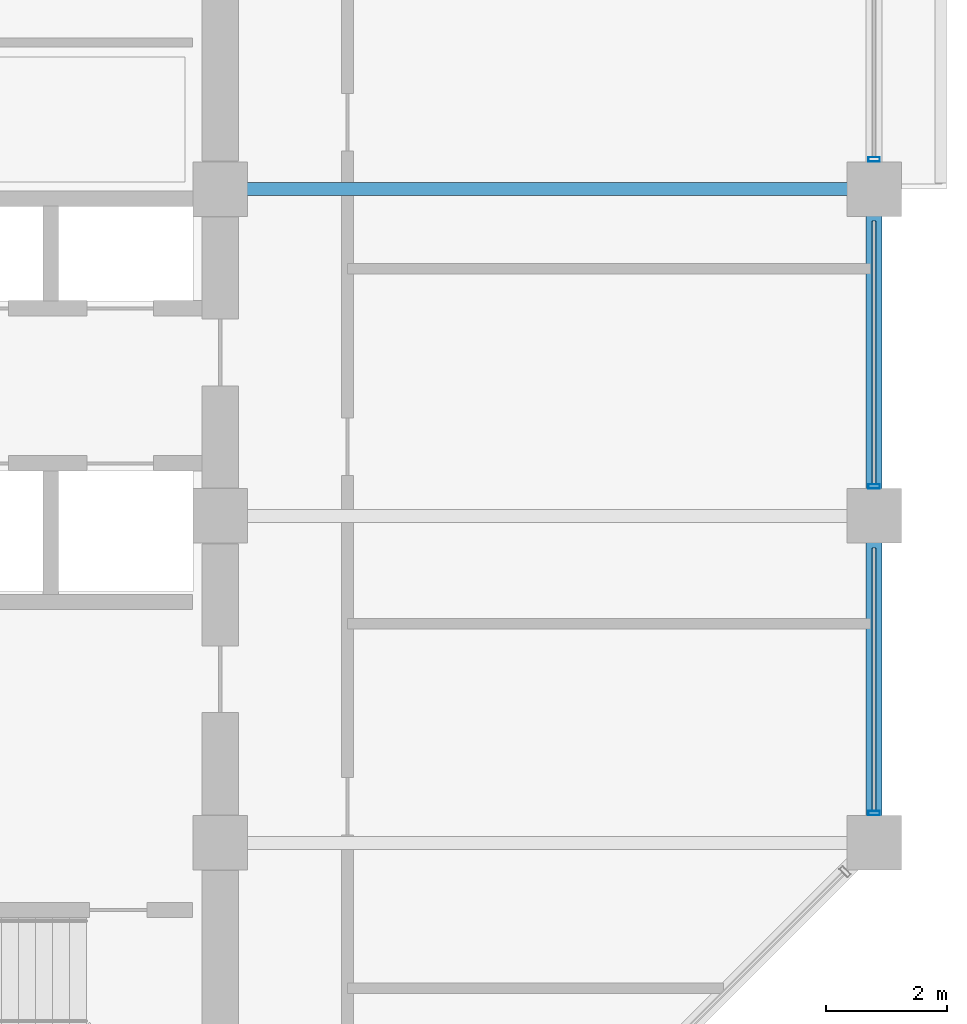
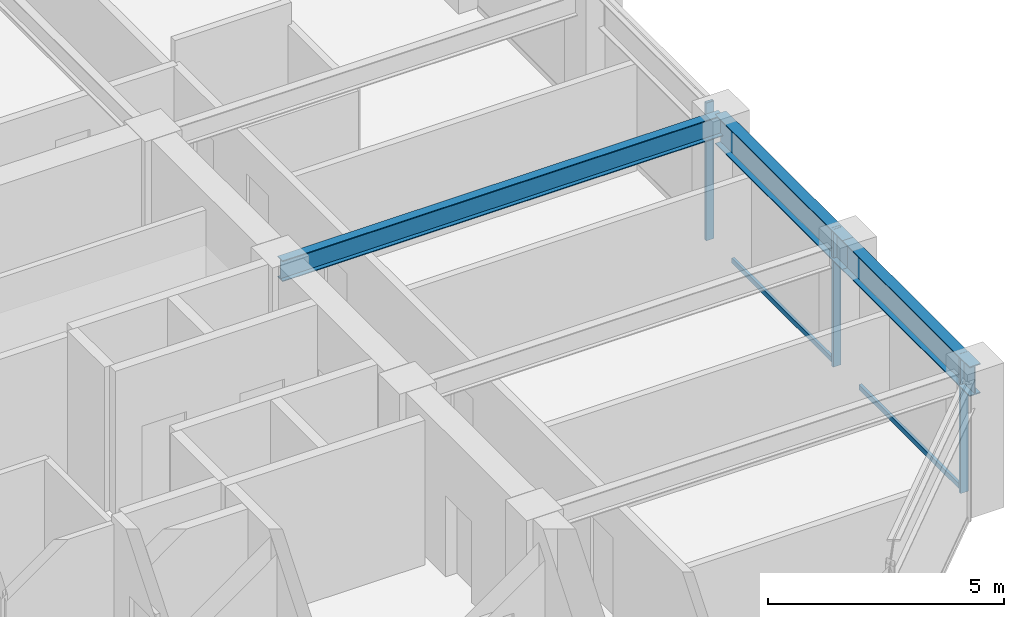
# One storey, part 14 of 31: 5 members, 3 beams, 1 element without a shape of its own.
"""IFC4 building model written with IfcOpenShell, lengths in metres."""

from ifc_helpers import new_model, si_unit, direction, frame, origin, origin_2d, place, context, subcontext, project, spatial, hollow_rectangle, i_section, extrude, material, layer, layer_set, material_profile, profile_set, type_object, element, aggregate, save


model = new_model("IFC4")

# Units and contexts
model_context = context("Model", 3, precision=1e-05, world=origin(), true_north=direction((0.0, 1.0)))
body_context = subcontext(model_context, "Body", "Model", "MODEL_VIEW")
ifc_project = project(units=[si_unit("LENGTHUNIT", "METRE"), si_unit("AREAUNIT", "SQUARE_METRE"), si_unit("VOLUMEUNIT", "CUBIC_METRE"), si_unit("PLANEANGLEUNIT", "RADIAN"), si_unit("MASSUNIT", "GRAM", prefix="KILO")], contexts=[model_context])

# Site, building, storey
site_placement = place(None, origin())
site = spatial("IfcSite", under=ifc_project, at=site_placement, CompositionType="ELEMENT")
building_placement = place(site_placement, origin())
building = spatial("IfcBuilding", under=site, at=building_placement, Name="Surkhivell Harbour Commons", CompositionType="ELEMENT")
storey_placement = place(building_placement, frame((0.0, 0.0, 193.5)))
storey = spatial("IfcBuildingStorey", under=building, at=storey_placement, Name="L50", CompositionType="ELEMENT", Elevation=193.5)

# Beams
ifc_material_1 = material(Name="Steel S355", Category="steel")
ifc_material_profile_1 = material_profile(ifc_material_1, i_section(OverallWidth=0.2119140625, OverallDepth=0.5439453125, WebThickness=0.0126953125, FlangeThickness=0.021240234375, at=origin_2d()), Name="UB533x210x122")
ifc_profile_set_1 = profile_set([ifc_material_profile_1], Name="Steel S355")
beam_type_1 = type_object("IfcBeamType", Name="BM-GRD-533A", PredefinedType="BEAM", material=ifc_profile_set_1)
beam_placement = place(storey_placement, frame((10.800048828125, 5.39990234375, 3.298095703125), z_axis=(1.0, 0.0, 0.0), x_axis=(0.0, 1.0, 0.0)))
element("IfcBeam", 1, at=beam_placement, inside=storey, type_object=beam_type_1, Name="L50 Floor Girder (10.8,5.4)", PredefinedType="BEAM", context=body_context, shape_type="SweptSolid", body=[
    extrude(i_section(OverallWidth=0.2119140625, OverallDepth=0.5439453125, WebThickness=0.0126953125, FlangeThickness=0.021240234375, at=origin_2d()), origin(), (0.0, 0.0, 1.0), 10.800048828125),
])
ifc_material_profile_2 = material_profile(ifc_material_1, i_section(OverallWidth=0.26806640625, OverallDepth=0.77001953125, WebThickness=0.015625, FlangeThickness=0.025390625, at=origin_2d()), Name="UB762x267x197")
ifc_profile_set_2 = profile_set([ifc_material_profile_2], Name="Steel S355")
beam_type_2 = type_object("IfcBeamType", Name="BM-SPN-762", PredefinedType="SPANDREL", material=ifc_profile_set_2)
for number, where, z_axis, x_axis, name in (
    (2, (21.60009765625, -5.39990234375, 3.18505859375), (0.0, 1.0, 0.0), (-1.0, 0.0, 0.0), "L50 Tube Spandrel (21.6,-5.4)"),
    (3, (21.60009765625, 0.0, 3.18505859375), (0.0, 1.0, 0.0), (-1.0, 0.0, 0.0), "L50 Tube Spandrel (21.6,0.0)"),
):
    element("IfcBeam", number, at=place(storey_placement, frame(where, z_axis=z_axis, x_axis=x_axis)), inside=storey, type_object=beam_type_2, Name=name, PredefinedType="SPANDREL", context=body_context, shape_type="SweptSolid", body=[
        extrude(i_section(OverallWidth=0.26806640625, OverallDepth=0.77001953125, WebThickness=0.015625, FlangeThickness=0.025390625, at=origin_2d()), origin(), (0.0, 0.0, 1.0), 5.39990234375),
    ])

# Curtain wall, members
ifc_material_2 = material(Name="Anodised pale-metal aluminium and insulated glazing", Category="aluminium")
ifc_layer = layer(ifc_material_2, 0.18994140625)
ifc_layer_set = layer_set([ifc_layer], Name="Anodised pale-metal aluminium and insulated glazing")
curtain_wall_type = type_object("IfcCurtainWallType", Name="CW-SYS-Z3", PredefinedType="NOTDEFINED", material=ifc_layer_set)
curtain_wall_placement = place(storey_placement, origin())
curtain_wall = element("IfcCurtainWall", 4, at=curtain_wall_placement, inside=storey, type_object=curtain_wall_type, Name="L50 Curtain Wall CW-L50-E02", PredefinedType="NOTDEFINED")
ifc_material_3 = material(Name="Anodised pale-metal aluminium alloy 6063-T6", Category="aluminium")
ifc_material_profile_3 = material_profile(ifc_material_3, hollow_rectangle(XDim=0.074951171875, YDim=0.18994140625, WallThickness=0.00390625, at=origin_2d()), Name="ALU-MULL-75x190")
ifc_profile_set_3 = profile_set([ifc_material_profile_3], Name="Anodised pale-metal aluminium alloy 6063-T6")
member_type_1 = type_object("IfcMemberType", Name="CWM-190", PredefinedType="MULLION", material=ifc_profile_set_3)
member_1_placement = place(storey_placement, frame((21.60009765625, -4.910400390625, 0.0), z_axis=(0.0, 0.0, 1.0), x_axis=(0.0, 1.0, 0.0)))
member_1 = element("IfcMember", 5, at=member_1_placement, type_object=member_type_1, Name="CW-Z3 mullion 1", PredefinedType="MULLION", context=body_context, shape_type="SweptSolid", body=[
    extrude(hollow_rectangle(XDim=0.074951171875, YDim=0.18994140625, WallThickness=0.00390625, at=origin_2d()), origin(), (0.0, 0.0, 1.0), 3.570068359375),
])
member_2_placement = place(storey_placement, frame((21.60009765625, 0.489501953125, 0.0), z_axis=(0.0, 0.0, 1.0), x_axis=(0.0, 1.0, 0.0)))
member_2 = element("IfcMember", 6, at=member_2_placement, type_object=member_type_1, Name="CW-Z3 mullion 2", PredefinedType="MULLION", context=body_context, shape_type="SweptSolid", body=[
    extrude(hollow_rectangle(XDim=0.074951171875, YDim=0.18994140625, WallThickness=0.00390625, at=origin_2d()), origin(), (0.0, 0.0, 1.0), 3.570068359375),
])
member_3_placement = place(storey_placement, frame((21.60009765625, 5.889404296875, 0.0), z_axis=(0.0, 0.0, 1.0), x_axis=(0.0, 1.0, 0.0)))
member_3 = element("IfcMember", 7, at=member_3_placement, type_object=member_type_1, Name="CW-Z3 mullion 3", PredefinedType="MULLION", context=body_context, shape_type="SweptSolid", body=[
    extrude(hollow_rectangle(XDim=0.074951171875, YDim=0.18994140625, WallThickness=0.00390625, at=origin_2d()), origin(), (0.0, 0.0, 1.0), 3.570068359375),
])
ifc_material_4 = material(Name="Champagne anodised aluminium alloy 6063-T6", Category="aluminium")
ifc_material_profile_4 = material_profile(ifc_material_4, hollow_rectangle(XDim=0.070068359375, YDim=0.1298828125, WallThickness=0.00341796875, at=origin_2d()), Name="ALU-TRAN-70x130")
ifc_profile_set_4 = profile_set([ifc_material_profile_4], Name="Champagne anodised aluminium alloy 6063-T6")
member_type_2 = type_object("IfcMemberType", Name="CWT-130", PredefinedType="USERDEFINED", material=ifc_profile_set_4)
member_4_placement = place(storey_placement, frame((21.60009765625, -4.873046875, 0.06494140625), z_axis=(0.0, 1.0, 0.0), x_axis=(-1.0, 0.0, 0.0)))
member_4 = element("IfcMember", 8, at=member_4_placement, type_object=member_type_2, Name="CW-Z3 transom 1.1", ObjectType="TRANSOM", PredefinedType="USERDEFINED", context=body_context, shape_type="SweptSolid", body=[
    extrude(hollow_rectangle(XDim=0.070068359375, YDim=0.1298828125, WallThickness=0.00341796875, at=origin_2d()), origin(), (0.0, 0.0, 1.0), 4.345947265625),
])
member_5_placement = place(storey_placement, frame((21.60009765625, 0.527099609375, 0.06494140625), z_axis=(0.0, 1.0, 0.0), x_axis=(-1.0, 0.0, 0.0)))
member_5 = element("IfcMember", 9, at=member_5_placement, type_object=member_type_2, Name="CW-Z3 transom 2.1", ObjectType="TRANSOM", PredefinedType="USERDEFINED", context=body_context, shape_type="SweptSolid", body=[
    extrude(hollow_rectangle(XDim=0.070068359375, YDim=0.1298828125, WallThickness=0.00341796875, at=origin_2d()), origin(), (0.0, 0.0, 1.0), 4.345947265625),
])
aggregate(curtain_wall, [member_1, member_4, member_2, member_5, member_3])

save(model, "model.ifc")
